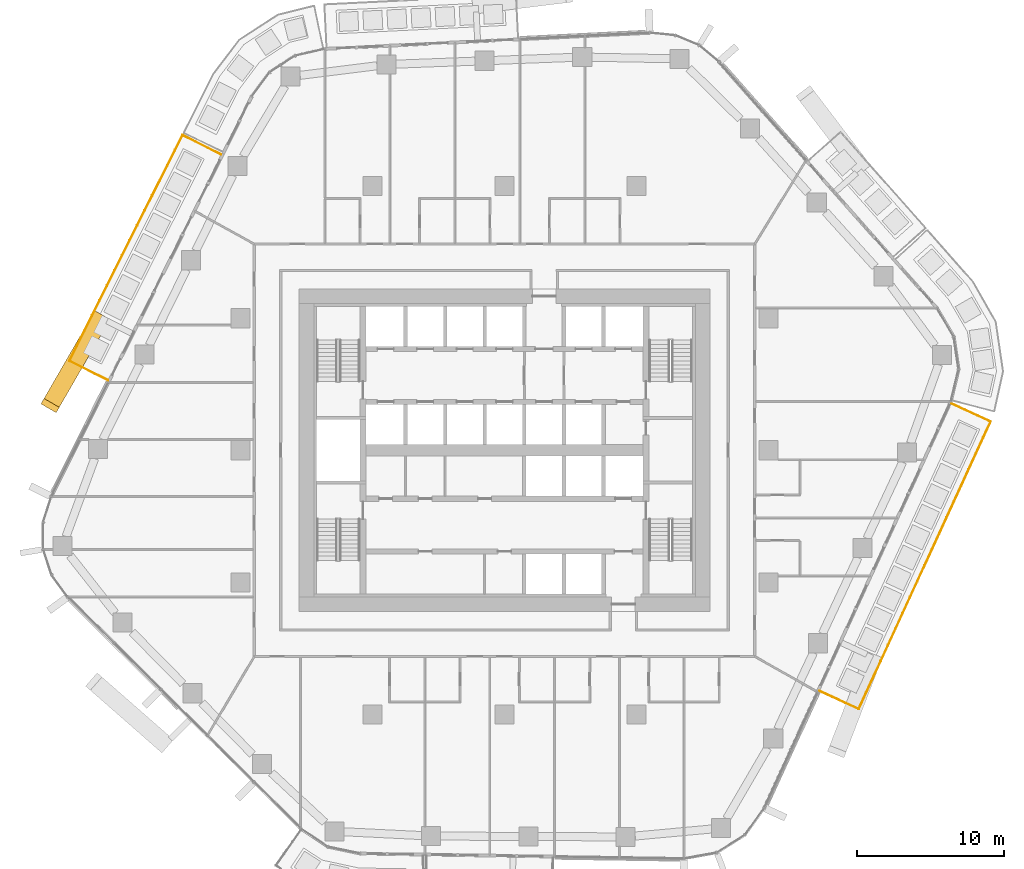
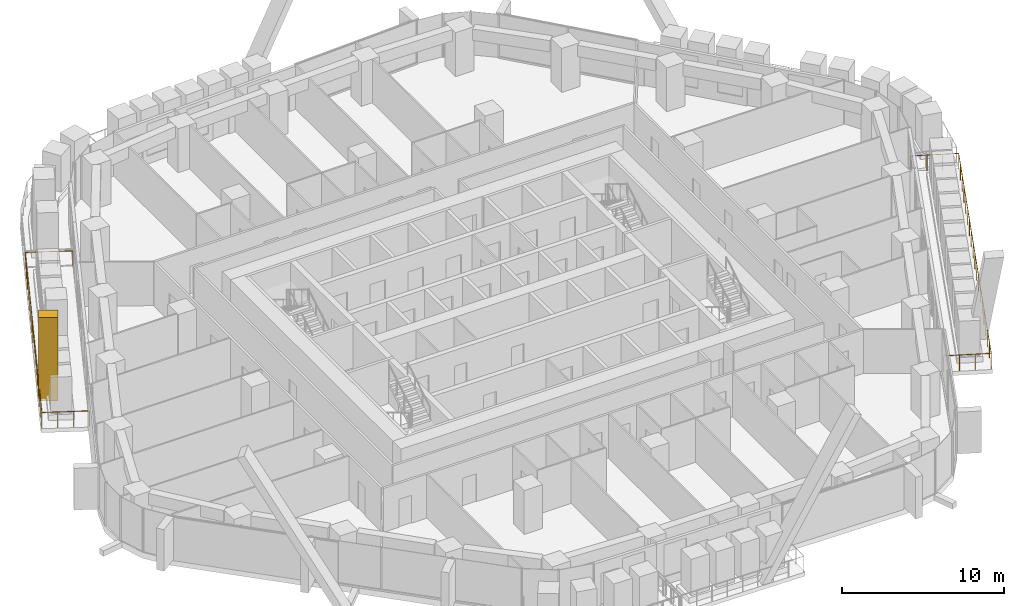
# One storey, part 22 of 25: 2 railings, 1 covering, 1 element without a shape of its own.
"""IFC4 building model written with IfcOpenShell, lengths in metres."""

from ifc_helpers import new_model, si_unit, direction, frame, origin, origin_2d, place, context, subcontext, project, spatial, rectangle, circle, extrude, material, layer, layer_set, material_profile, profile_set, type_object, element, aggregate, save


model = new_model("IFC4")

# Units and contexts
model_context = context("Model", 3, precision=1e-05, world=origin(), true_north=direction((0.0, 1.0)))
body_context = subcontext(model_context, "Body", "Model", "MODEL_VIEW")
ifc_project = project(units=[si_unit("LENGTHUNIT", "METRE"), si_unit("AREAUNIT", "SQUARE_METRE"), si_unit("VOLUMEUNIT", "CUBIC_METRE"), si_unit("PLANEANGLEUNIT", "RADIAN"), si_unit("MASSUNIT", "GRAM", prefix="KILO")], contexts=[model_context])

# Site, building, storey
site_placement = place(None, origin())
site = spatial("IfcSite", under=ifc_project, at=site_placement, CompositionType="ELEMENT")
building_placement = place(site_placement, origin())
building = spatial("IfcBuilding", under=site, at=building_placement, Name="Dongbaek Canopy Tower", CompositionType="ELEMENT")
storey_placement = place(building_placement, frame((0.0, 0.0, 102.60009765625)))
storey = spatial("IfcBuildingStorey", under=building, at=storey_placement, Name="L21", CompositionType="ELEMENT", Elevation=102.60009765625)

# Railings
ifc_material_1 = material(Name="Stainless steel", Category="steel")
railing_type = type_object("IfcRailingType", Name="Balcony balustrade 1200", PredefinedType="BALUSTRADE", material=ifc_material_1)
railing_1_placement = place(storey_placement, frame((-19.31982421875, 20.155029296875, 0.0)))
element("IfcRailing", 1, at=railing_1_placement, inside=storey, type_object=railing_type, Name="Balcony guard L21 3", PredefinedType="BALUSTRADE", context=body_context, shape_type="SweptSolid", body=[
    extrude(circle(Radius=0.02392578125, at=origin_2d()), frame((0.0, 0.0, 1.17578125), z_axis=(-0.894061494849, 0.447944241428, 0.0), x_axis=(-0.447944241428, -0.894061494849, 0.0)), (0.0, 0.0, 1.0), 2.93994140625),
    extrude(circle(Radius=0.02392578125, at=origin_2d()), frame((-2.62841796875, 1.31689453125, 1.17578125), z_axis=(-0.447956937984, -0.894055133486, 0.0), x_axis=(0.894055133486, -0.447956937984, 0.0)), (0.0, 0.0, 1.0), 17.20654296875),
    extrude(circle(Radius=0.02392578125, at=origin_2d()), frame((-10.336181640625, -14.066650390625, 1.17578125), z_axis=(0.894061494849, -0.447944241428, 0.0), x_axis=(0.447944241428, 0.894061494849, 0.0)), (0.0, 0.0, 1.0), 2.93994140625),
    extrude(circle(Radius=0.02099609375, at=origin_2d()), origin(), (0.0, 0.0, 1.0), 1.15185546875),
    extrude(circle(Radius=0.02099609375, at=origin_2d()), frame((-0.876220703125, 0.43896484375, 0.0)), (0.0, 0.0, 1.0), 1.15185546875),
    extrude(circle(Radius=0.02099609375, at=origin_2d()), frame((-1.752197265625, 0.8779296875, 0.0)), (0.0, 0.0, 1.0), 1.15185546875),
    extrude(circle(Radius=0.02099609375, at=origin_2d()), frame((-2.62841796875, 1.31689453125, 0.0)), (0.0, 0.0, 1.0), 1.15185546875),
    extrude(circle(Radius=0.02099609375, at=origin_2d()), frame((-3.142333984375, 0.291259765625, 0.0)), (0.0, 0.0, 1.0), 1.15185546875),
    extrude(circle(Radius=0.02099609375, at=origin_2d()), frame((-3.656005859375, -0.734130859375, 0.0)), (0.0, 0.0, 1.0), 1.15185546875),
    extrude(circle(Radius=0.02099609375, at=origin_2d()), frame((-4.169921875, -1.759765625, 0.0)), (0.0, 0.0, 1.0), 1.15185546875),
    extrude(circle(Radius=0.02099609375, at=origin_2d()), frame((-4.683837890625, -2.785400390625, 0.0)), (0.0, 0.0, 1.0), 1.15185546875),
    extrude(circle(Radius=0.02099609375, at=origin_2d()), frame((-5.19775390625, -3.81103515625, 0.0)), (0.0, 0.0, 1.0), 1.15185546875),
    extrude(circle(Radius=0.02099609375, at=origin_2d()), frame((-5.71142578125, -4.83642578125, 0.0)), (0.0, 0.0, 1.0), 1.15185546875),
    extrude(circle(Radius=0.02099609375, at=origin_2d()), frame((-6.225341796875, -5.862060546875, 0.0)), (0.0, 0.0, 1.0), 1.15185546875),
    extrude(circle(Radius=0.02099609375, at=origin_2d()), frame((-6.7392578125, -6.8876953125, 0.0)), (0.0, 0.0, 1.0), 1.15185546875),
    extrude(circle(Radius=0.02099609375, at=origin_2d()), frame((-7.253173828125, -7.913330078125, 0.0)), (0.0, 0.0, 1.0), 1.15185546875),
    extrude(circle(Radius=0.02099609375, at=origin_2d()), frame((-7.766845703125, -8.938720703125, 0.0)), (0.0, 0.0, 1.0), 1.15185546875),
    extrude(circle(Radius=0.02099609375, at=origin_2d()), frame((-8.28076171875, -9.96435546875, 0.0)), (0.0, 0.0, 1.0), 1.15185546875),
    extrude(circle(Radius=0.02099609375, at=origin_2d()), frame((-8.794677734375, -10.989990234375, 0.0)), (0.0, 0.0, 1.0), 1.15185546875),
    extrude(circle(Radius=0.02099609375, at=origin_2d()), frame((-9.30859375, -12.015625, 0.0)), (0.0, 0.0, 1.0), 1.15185546875),
    extrude(circle(Radius=0.02099609375, at=origin_2d()), frame((-9.822265625, -13.041015625, 0.0)), (0.0, 0.0, 1.0), 1.15185546875),
    extrude(circle(Radius=0.02099609375, at=origin_2d()), frame((-10.336181640625, -14.066650390625, 0.0)), (0.0, 0.0, 1.0), 1.15185546875),
    extrude(circle(Radius=0.02099609375, at=origin_2d()), frame((-9.4599609375, -14.505615234375, 0.0)), (0.0, 0.0, 1.0), 1.15185546875),
    extrude(circle(Radius=0.02099609375, at=origin_2d()), frame((-8.583984375, -14.944580078125, 0.0)), (0.0, 0.0, 1.0), 1.15185546875),
    extrude(circle(Radius=0.02099609375, at=origin_2d()), frame((-7.707763671875, -15.383544921875, 0.0)), (0.0, 0.0, 1.0), 1.15185546875),
])
railing_2_placement = place(storey_placement, frame((21.466064453125, -16.409912109375, 0.0)))
element("IfcRailing", 2, at=railing_2_placement, inside=storey, type_object=railing_type, Name="Balcony guard L21 5", PredefinedType="BALUSTRADE", context=body_context, shape_type="SweptSolid", body=[
    extrude(circle(Radius=0.02392578125, at=origin_2d()), frame((0.0, 0.0, 1.17578125), z_axis=(0.908844513513, -0.417135050382, 0.0), x_axis=(0.417135050382, 0.908844513513, 0.0)), (0.0, 0.0, 1.0), 2.93994140625),
    extrude(circle(Radius=0.02392578125, at=origin_2d()), frame((2.671875, -1.226318359375, 1.17578125), z_axis=(0.41713053938, 0.908846583927, 0.0), x_axis=(-0.908846583927, 0.41713053938, 0.0)), (0.0, 0.0, 1.0), 21.551513671875),
    extrude(circle(Radius=0.02392578125, at=origin_2d()), frame((11.66162109375, 18.360595703125, 1.17578125), z_axis=(-0.908858961845, 0.417103569241, 0.0), x_axis=(-0.417103569241, -0.908858961845, 0.0)), (0.0, 0.0, 1.0), 2.940185546875),
    extrude(circle(Radius=0.02099609375, at=origin_2d()), origin(), (0.0, 0.0, 1.0), 1.15185546875),
    extrude(circle(Radius=0.02099609375, at=origin_2d()), frame((0.890625, -0.40869140625, 0.0)), (0.0, 0.0, 1.0), 1.15185546875),
    extrude(circle(Radius=0.02099609375, at=origin_2d()), frame((1.78125, -0.817626953125, 0.0)), (0.0, 0.0, 1.0), 1.15185546875),
    extrude(circle(Radius=0.02099609375, at=origin_2d()), frame((2.671875, -1.226318359375, 0.0)), (0.0, 0.0, 1.0), 1.15185546875),
    extrude(circle(Radius=0.02099609375, at=origin_2d()), frame((3.17138671875, -0.13818359375, 0.0)), (0.0, 0.0, 1.0), 1.15185546875),
    extrude(circle(Radius=0.02099609375, at=origin_2d()), frame((3.670654296875, 0.949951171875, 0.0)), (0.0, 0.0, 1.0), 1.15185546875),
    extrude(circle(Radius=0.02099609375, at=origin_2d()), frame((4.170166015625, 2.0380859375, 0.0)), (0.0, 0.0, 1.0), 1.15185546875),
    extrude(circle(Radius=0.02099609375, at=origin_2d()), frame((4.669677734375, 3.126220703125, 0.0)), (0.0, 0.0, 1.0), 1.15185546875),
    extrude(circle(Radius=0.02099609375, at=origin_2d()), frame((5.1689453125, 4.214599609375, 0.0)), (0.0, 0.0, 1.0), 1.15185546875),
    extrude(circle(Radius=0.02099609375, at=origin_2d()), frame((5.66845703125, 5.302734375, 0.0)), (0.0, 0.0, 1.0), 1.15185546875),
    extrude(circle(Radius=0.02099609375, at=origin_2d()), frame((6.16796875, 6.390869140625, 0.0)), (0.0, 0.0, 1.0), 1.15185546875),
    extrude(circle(Radius=0.02099609375, at=origin_2d()), frame((6.667236328125, 7.47900390625, 0.0)), (0.0, 0.0, 1.0), 1.15185546875),
    extrude(circle(Radius=0.02099609375, at=origin_2d()), frame((7.166748046875, 8.567138671875, 0.0)), (0.0, 0.0, 1.0), 1.15185546875),
    extrude(circle(Radius=0.02099609375, at=origin_2d()), frame((7.666259765625, 9.6552734375, 0.0)), (0.0, 0.0, 1.0), 1.15185546875),
    extrude(circle(Radius=0.02099609375, at=origin_2d()), frame((8.16552734375, 10.743408203125, 0.0)), (0.0, 0.0, 1.0), 1.15185546875),
    extrude(circle(Radius=0.02099609375, at=origin_2d()), frame((8.6650390625, 11.83154296875, 0.0)), (0.0, 0.0, 1.0), 1.15185546875),
    extrude(circle(Radius=0.02099609375, at=origin_2d()), frame((9.16455078125, 12.919677734375, 0.0)), (0.0, 0.0, 1.0), 1.15185546875),
    extrude(circle(Radius=0.02099609375, at=origin_2d()), frame((9.663818359375, 14.008056640625, 0.0)), (0.0, 0.0, 1.0), 1.15185546875),
    extrude(circle(Radius=0.02099609375, at=origin_2d()), frame((10.163330078125, 15.09619140625, 0.0)), (0.0, 0.0, 1.0), 1.15185546875),
    extrude(circle(Radius=0.02099609375, at=origin_2d()), frame((10.662841796875, 16.184326171875, 0.0)), (0.0, 0.0, 1.0), 1.15185546875),
    extrude(circle(Radius=0.02099609375, at=origin_2d()), frame((11.162109375, 17.2724609375, 0.0)), (0.0, 0.0, 1.0), 1.15185546875),
    extrude(circle(Radius=0.02099609375, at=origin_2d()), frame((11.66162109375, 18.360595703125, 0.0)), (0.0, 0.0, 1.0), 1.15185546875),
    extrude(circle(Radius=0.02099609375, at=origin_2d()), frame((10.77099609375, 18.769287109375, 0.0)), (0.0, 0.0, 1.0), 1.15185546875),
    extrude(circle(Radius=0.02099609375, at=origin_2d()), frame((9.880126953125, 19.17822265625, 0.0)), (0.0, 0.0, 1.0), 1.15185546875),
    extrude(circle(Radius=0.02099609375, at=origin_2d()), frame((8.989501953125, 19.5869140625, 0.0)), (0.0, 0.0, 1.0), 1.15185546875),
])

# Curtain wall, covering
ifc_material_2 = material(Name="Aluminium 6063-T6 pale anodised", Category="aluminium")
ifc_layer = layer(ifc_material_2, 0.199951171875)
ifc_layer_set = layer_set([ifc_layer], Name="CW-1 unitised tower curtain wall")
curtain_wall_type = type_object("IfcCurtainWallType", Name="CW-1 unitised tower curtain wall", PredefinedType="NOTDEFINED", material=ifc_layer_set)
curtain_wall_placement = place(storey_placement, origin())
curtain_wall = element("IfcCurtainWall", 3, at=curtain_wall_placement, inside=storey, type_object=curtain_wall_type, Name="CW-1 curtain wall F2.1", PredefinedType="NOTDEFINED")
ifc_material_3 = material(Name="Aluminium 6063-T6 pale metal fin", Category="aluminium")
ifc_material_profile = material_profile(ifc_material_3, rectangle(XDim=1.199951171875, YDim=0.5, at=origin_2d()), Name="Crease fin CF1 500 x 1200 pale metal")
ifc_profile_set = profile_set([ifc_material_profile], Name="Aluminium 6063-T6 pale metal fin")
covering_type = type_object("IfcCoveringType", Name="Crease fin CF1 500 x 1200 pale metal", PredefinedType="CLADDING", material=ifc_profile_set)
covering_placement = place(storey_placement, frame((-27.513916015625, 9.02880859375, -0.22509765625), z_axis=(-0.263766702118, -0.456954512851, 0.849482018667), x_axis=(0.866071448349, -0.499920239992, 0.0)))
covering = element("IfcCovering", 4, at=covering_placement, type_object=covering_type, Name="Crease fin L21 L24 F2", PredefinedType="CLADDING", context=body_context, shape_type="SweptSolid", body=[
    extrude(rectangle(XDim=1.199951171875, YDim=0.5, at=origin_2d()), origin(), (0.0, 0.0, 1.0), 13.09619140625),
])
aggregate(curtain_wall, [covering])

save(model, "model.ifc")
